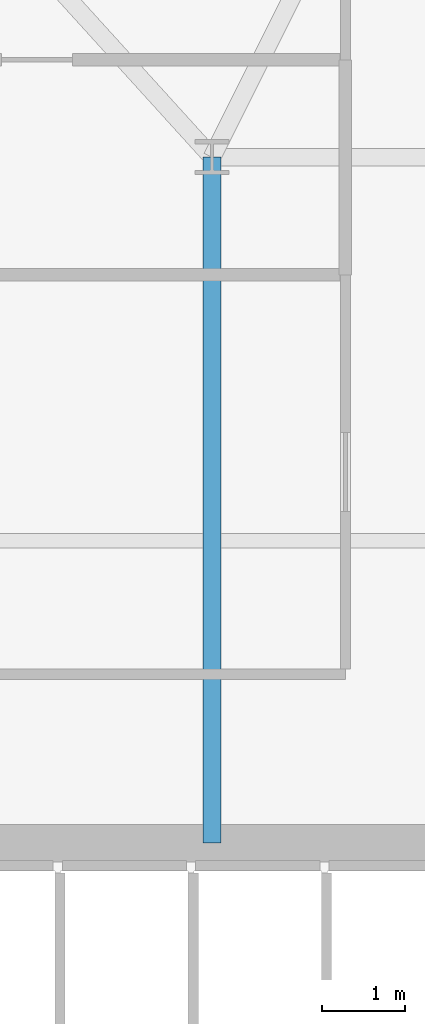
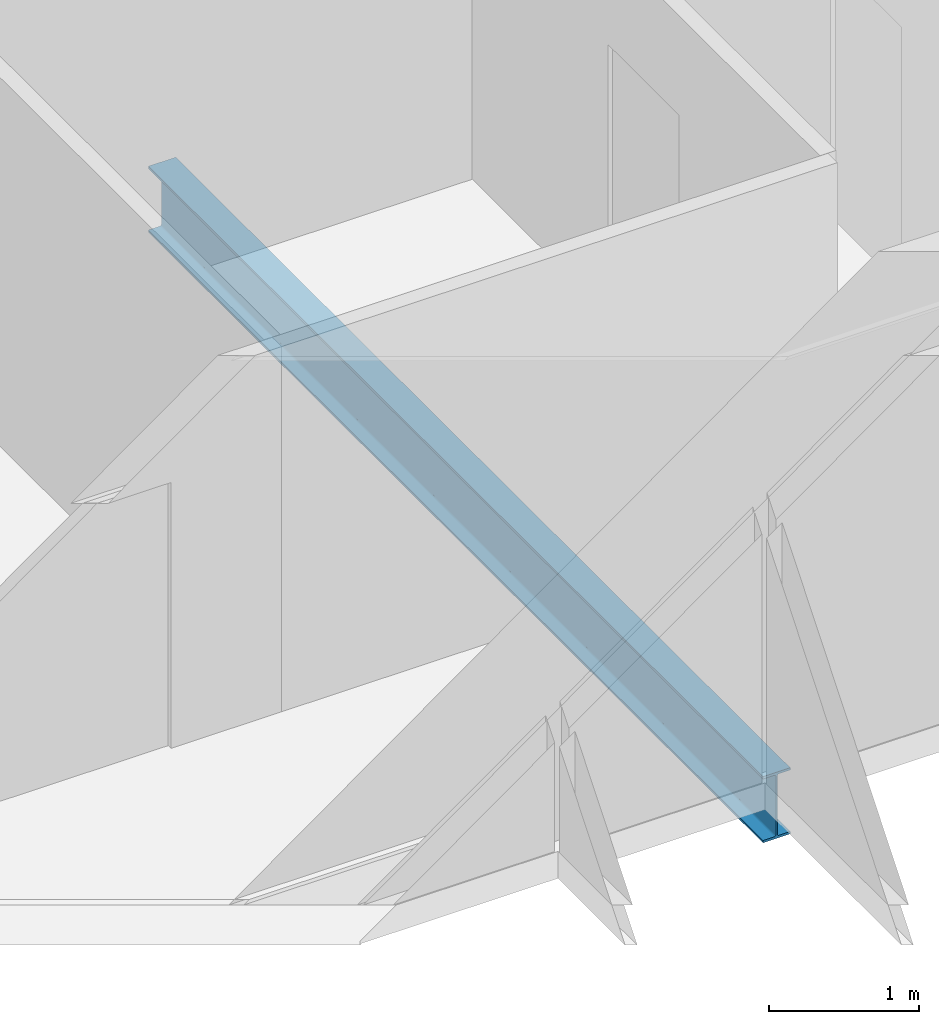
# One storey, part 6 of 31: 1 beam.
"""IFC4 building model written with IfcOpenShell, lengths in metres."""

from ifc_helpers import new_model, si_unit, direction, frame, origin, origin_2d, place, context, subcontext, project, spatial, i_section, extrude, material, material_profile, profile_set, type_object, element, save


model = new_model("IFC4")

# Units and contexts
model_context = context("Model", 3, precision=1e-05, world=origin(), true_north=direction((0.0, 1.0)))
body_context = subcontext(model_context, "Body", "Model", "MODEL_VIEW")
ifc_project = project(units=[si_unit("LENGTHUNIT", "METRE"), si_unit("AREAUNIT", "SQUARE_METRE"), si_unit("VOLUMEUNIT", "CUBIC_METRE"), si_unit("PLANEANGLEUNIT", "RADIAN"), si_unit("MASSUNIT", "GRAM", prefix="KILO")], contexts=[model_context])

# Site, building, storey
site_placement = place(None, origin())
site = spatial("IfcSite", under=ifc_project, at=site_placement, CompositionType="ELEMENT")
building_placement = place(site_placement, origin())
building = spatial("IfcBuilding", under=site, at=building_placement, Name="Ndaravel Arena Tower", CompositionType="ELEMENT")
storey_placement = place(building_placement, frame((0.0, 0.0, 138.39990234375)))
storey = spatial("IfcBuildingStorey", under=building, at=storey_placement, Name="L32", CompositionType="ELEMENT", Elevation=138.39990234375)

# Beam
ifc_material = material(Name="Steel S355", Category="steel")
ifc_material_profile = material_profile(ifc_material, i_section(OverallWidth=0.210693359375, OverallDepth=0.53955078125, WebThickness=0.01171875, FlangeThickness=0.018798828125, FilletRadius=0.0126953125, at=origin_2d()), Name="UB 533x210x109")
ifc_profile_set = profile_set([ifc_material_profile], Name="Steel S355")
beam_type = type_object("IfcBeamType", Name="BM-GIRD-UB533", PredefinedType="BEAM", material=ifc_profile_set)
beam_placement = place(storey_placement, frame((34.199951171875, 14.97998046875, -0.489501953125), z_axis=(0.0, 1.0, 0.0), x_axis=(-1.0, 0.0, 0.0)))
element("IfcBeam", 1, at=beam_placement, inside=storey, type_object=beam_type, Name="L32 Spine Link Girder SLG-01", PredefinedType="BEAM", context=body_context, shape_type="SweptSolid", body=[
    extrude(i_section(OverallWidth=0.210693359375, OverallDepth=0.53955078125, WebThickness=0.01171875, FlangeThickness=0.018798828125, FilletRadius=0.0126953125, at=origin_2d()), origin(), (0.0, 0.0, 1.0), 8.219970703125),
])

save(model, "model.ifc")
